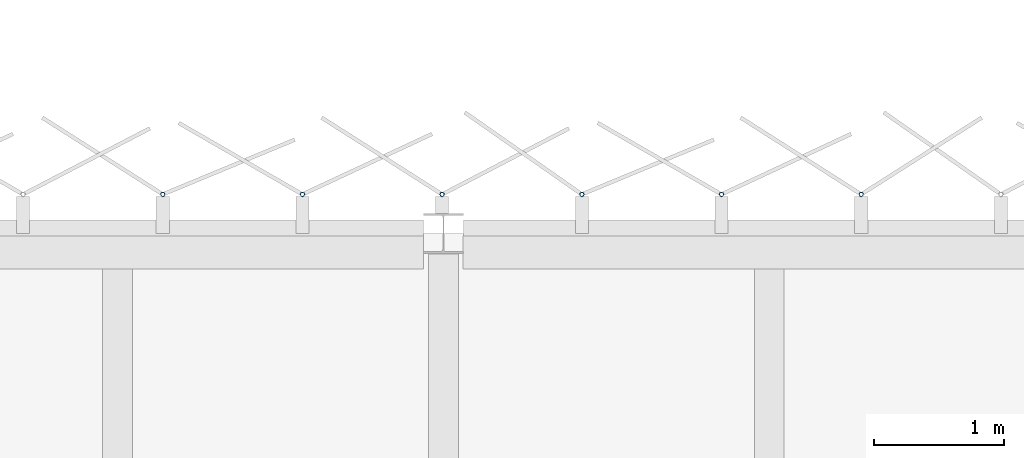
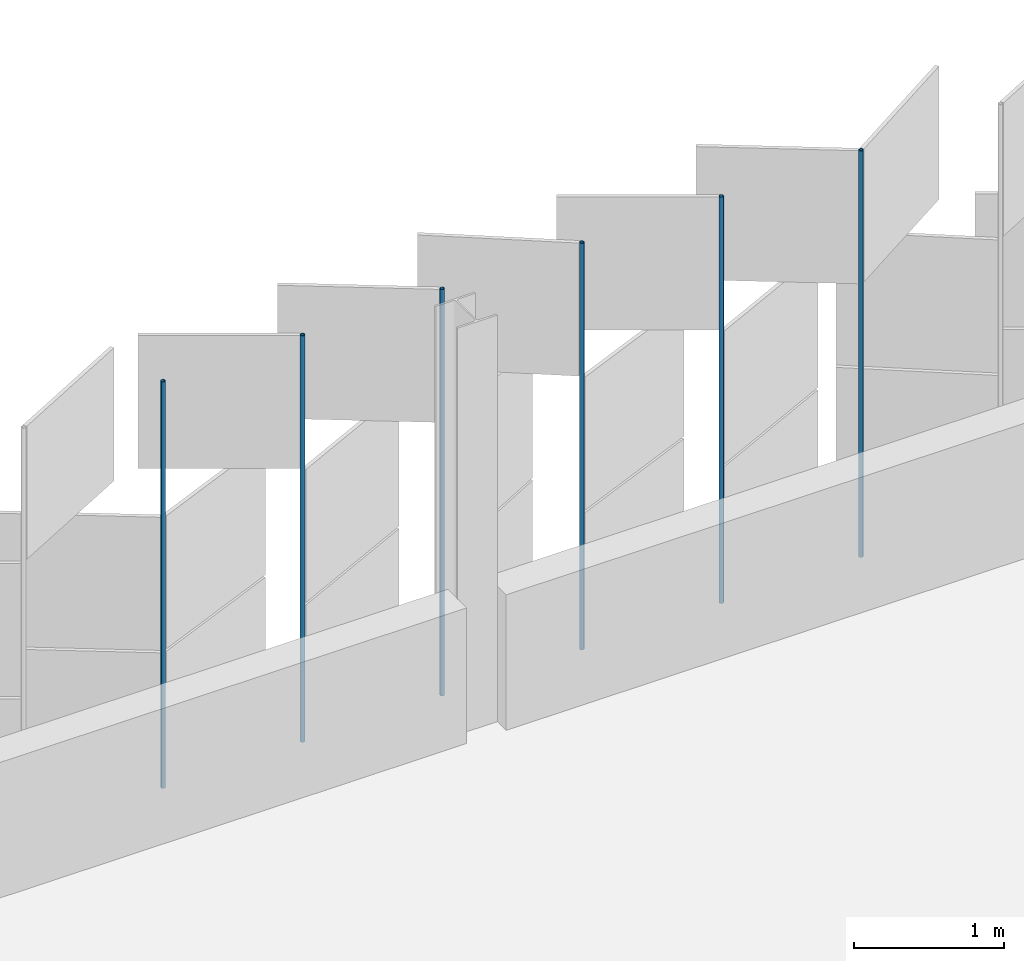
# One storey, part 141 of 198: 6 discrete accessories.
"""IFC4 building model written with IfcOpenShell, lengths in metres."""

from ifc_helpers import new_model, si_unit, direction, frame, origin, origin_2d, place, context, subcontext, project, spatial, hollow_circle, extrude, material, material_profile, profile_set, type_object, element, save


model = new_model("IFC4")

# Units and contexts
model_context = context("Model", 3, precision=1e-05, world=origin(), true_north=direction((0.0, 1.0)))
body_context = subcontext(model_context, "Body", "Model", "MODEL_VIEW")
ifc_project = project(units=[si_unit("LENGTHUNIT", "METRE"), si_unit("AREAUNIT", "SQUARE_METRE"), si_unit("VOLUMEUNIT", "CUBIC_METRE"), si_unit("PLANEANGLEUNIT", "RADIAN"), si_unit("MASSUNIT", "GRAM", prefix="KILO")], contexts=[model_context])

# Site, building, storey
site_placement = place(None, origin())
site = spatial("IfcSite", under=ifc_project, at=site_placement, CompositionType="ELEMENT")
building_placement = place(site_placement, origin())
building = spatial("IfcBuilding", under=site, at=building_placement, Name="Parallax Yard Mobility Hub", CompositionType="ELEMENT")
storey_placement = place(building_placement, frame((0.0, 0.0, 6.60009765625)))
storey = spatial("IfcBuildingStorey", under=building, at=storey_placement, Name="L02", CompositionType="ELEMENT", Elevation=6.60009765625)

# Discrete accessories
ifc_material = material(Name="Steel ASTM A500 Gr C, hot-dip galvanised", Category="steel")
ifc_material_profile = material_profile(ifc_material, hollow_circle(Radius=0.016845703125, WallThickness=0.003173828125, at=origin_2d()), Name="CHS 33.7x3.2")
ifc_profile_set = profile_set([ifc_material_profile], Name="Steel ASTM A500 Gr C, hot-dip galvanised")
discrete_accessory_type = type_object("IfcDiscreteAccessoryType", Name="Hinge post CHS 33.7x3.2", PredefinedType="BRACKET", material=ifc_profile_set)
for number, where, z_axis, x_axis, name in (
    (1, (78.205078125, 142.800048828125, 0.0), (0.0, 0.0, 1.0), (1.0, 0.0, 0.0), "Hinge post bay 63.5 level L02"),
    (2, (77.13330078125, 142.800048828125, 0.0), (0.0, 0.0, 1.0), (1.0, 0.0, 0.0), "Hinge post bay 63.6 level L02"),
    (3, (76.06201171875, 142.800048828125, 0.0), (0.0, 0.0, 1.0), (1.0, 0.0, 0.0), "Hinge post bay 63.7 level L02"),
    (4, (74.990234375, 142.800048828125, 0.0), (0.0, 0.0, 1.0), (1.0, 0.0, 0.0), "Hinge post bay 64.1 level L02"),
    (5, (73.918701171875, 142.800048828125, 0.0), (0.0, 0.0, 1.0), (1.0, 0.0, 0.0), "Hinge post bay 64.2 level L02"),
    (6, (72.84716796875, 142.800048828125, 0.0), (0.0, 0.0, 1.0), (1.0, 0.0, 0.0), "Hinge post bay 64.3 level L02"),
):
    element("IfcDiscreteAccessory", number, at=place(storey_placement, frame(where, z_axis=z_axis, x_axis=x_axis)), inside=storey, type_object=discrete_accessory_type, Name=name, PredefinedType="BRACKET", context=body_context, shape_type="SweptSolid", body=[
        extrude(hollow_circle(Radius=0.016845703125, WallThickness=0.003173828125, at=origin_2d()), origin(), (0.0, 0.0, 1.0), 3.2998046875),
    ])

save(model, "model.ifc")
